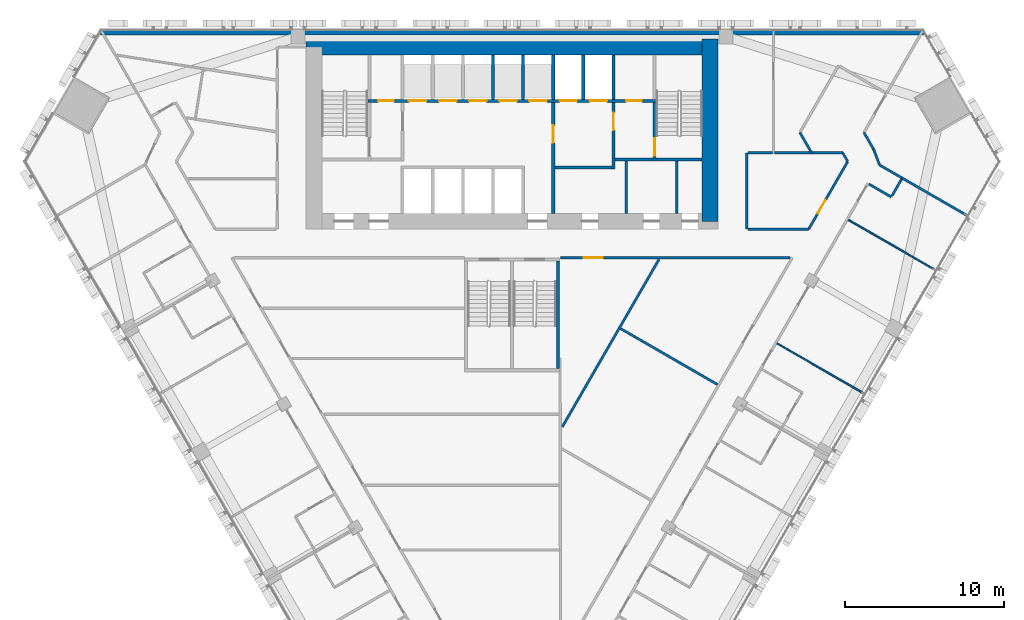
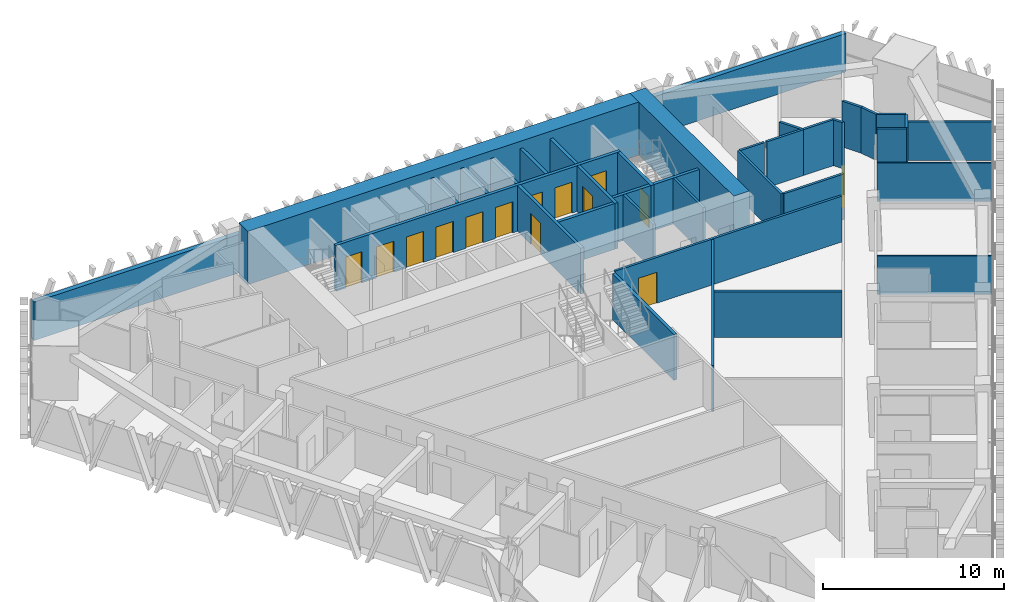
# One storey, part 14 of 18: 37 walls, 14 doors, 14 openings.
"""IFC4 building model written with IfcOpenShell, lengths in metres."""

from ifc_helpers import new_model, si_unit, direction, frame, frame_2d, origin, place, context, subcontext, project, spatial, rectangle, extrude, material, layer, layer_set, type_object, element, fill, save


model = new_model("IFC4")

# Units and contexts
model_context = context("Model", 3, precision=1e-05, world=origin(), true_north=direction((0.0, 1.0)))
body_context = subcontext(model_context, "Body", "Model", "MODEL_VIEW")
ifc_project = project(units=[si_unit("LENGTHUNIT", "METRE"), si_unit("AREAUNIT", "SQUARE_METRE"), si_unit("VOLUMEUNIT", "CUBIC_METRE"), si_unit("PLANEANGLEUNIT", "RADIAN"), si_unit("MASSUNIT", "GRAM", prefix="KILO")], contexts=[model_context])

# Site, building, storey
site_placement = place(None, origin())
site = spatial("IfcSite", under=ifc_project, at=site_placement, CompositionType="ELEMENT")
building_placement = place(site_placement, origin())
building = spatial("IfcBuilding", under=site, at=building_placement, Name="Altiplano Prism Tower", CompositionType="ELEMENT")
storey_placement = place(building_placement, frame((0.0, 0.0, 45.0)))
storey = spatial("IfcBuildingStorey", under=building, at=storey_placement, Name="L10", CompositionType="ELEMENT", Elevation=45.0)

# Walls
ifc_material_1 = material(Name="Concrete C70/85", Category="concrete")
ifc_layer_1 = layer(ifc_material_1, 1.0)
ifc_layer_set_1 = layer_set([ifc_layer_1], Name="Concrete C70/85")
wall_type_1 = type_object("IfcWallType", Name="Core wall 1000", PredefinedType="SHEAR", material=ifc_layer_set_1)
wall_1_placement = place(storey_placement, frame((97.5, 92.89990234375, 0.0), z_axis=(0.0, 0.0, 1.0), x_axis=(0.0, 1.0, 0.0)))
element("IfcWall", 1, at=wall_1_placement, inside=storey, type_object=wall_type_1, Name="Core wall E L10", PredefinedType="SHEAR", context=body_context, shape_type="SweptSolid", body=[
    extrude(rectangle(XDim=11.5, YDim=1.0, at=frame_2d((5.75, 0.0))), origin(), (0.0, 0.0, 1.0), 3.60009765625),
])
wall_2_placement = place(storey_placement, frame((97.5, 103.89990234375, 0.0), z_axis=(0.0, 0.0, 1.0), x_axis=(-1.0, 0.0, 0.0)))
element("IfcWall", 2, at=wall_2_placement, inside=storey, type_object=wall_type_1, Name="Core wall N L10", PredefinedType="SHEAR", context=body_context, shape_type="SweptSolid", body=[
    extrude(rectangle(XDim=25.5, YDim=1.0, at=frame_2d((12.75, 0.0))), origin(), (0.0, 0.0, 1.0), 3.60009765625),
])
ifc_material_2 = material(Name="Plasterboard on steel stud", Category="steel")
ifc_layer_2 = layer(ifc_material_2, 0.10009765625)
ifc_layer_set_2 = layer_set([ifc_layer_2], Name="Plasterboard on steel stud")
wall_type_2 = type_object("IfcWallType", Name="Partition 100 wet", PredefinedType="PARTITIONING", material=ifc_layer_set_2)
for number, where, z_axis, x_axis, name in (
    (3, (107.217529296875, 82.02685546875, 0.0), (0.0, 0.0, 1.0), (-0.866025401434, 0.500000004071, 0.0), "Partition P03 L10 098"),
    (4, (111.717529296875, 89.821044921875, 0.0), (0.0, 0.0, 1.0), (-0.866025401434, 0.500000004071, 0.0), "Partition P03 L10 099"),
):
    element("IfcWall", number, at=place(storey_placement, frame(where, z_axis=z_axis, x_axis=x_axis)), inside=storey, type_object=wall_type_2, Name=name, PredefinedType="PARTITIONING", context=body_context, shape_type="SweptSolid", body=[
        extrude(rectangle(XDim=6.34521484375, YDim=0.10009765625, at=frame_2d((3.172607421875, 0.0))), origin(), (0.0, 0.0, 1.0), 2.60009765625),
    ])
ifc_layer_3 = layer(ifc_material_2, 0.14990234375)
ifc_layer_set_3 = layer_set([ifc_layer_3], Name="Plasterboard on steel stud")
wall_type_3 = type_object("IfcWallType", Name="Partition 150 corridor", PredefinedType="PARTITIONING", material=ifc_layer_set_3)
wall_3_placement = place(storey_placement, frame((107.5224609375, 95.245361328125, 0.0), z_axis=(0.0, 0.0, 1.0), x_axis=(0.866015446554, -0.500017246033, 0.0)))
element("IfcWall", 5, at=wall_3_placement, inside=storey, type_object=wall_type_3, Name="Partition P06 L10 023", PredefinedType="PARTITIONING", context=body_context, shape_type="SweptSolid", body=[
    extrude(rectangle(XDim=1.625, YDim=0.14990234375, at=frame_2d((0.8125, 0.0))), origin(), (0.0, 0.0, 1.0), 3.10009765625),
])
wall_4_placement = place(storey_placement, frame((108.96728515625, 94.497802734375, 0.0), z_axis=(0.0, 0.0, 1.0), x_axis=(0.499963176624, 0.866046662726, 0.0)))
element("IfcWall", 6, at=wall_4_placement, inside=storey, type_object=wall_type_3, Name="Partition P06 L10 024", PredefinedType="PARTITIONING", context=body_context, shape_type="SweptSolid", body=[
    extrude(rectangle(XDim=1.22900390625, YDim=0.14990234375, at=frame_2d((0.614501953125, 0.0))), origin(), (0.0, 0.0, 1.0), 3.10009765625),
])
wall_5_placement = place(storey_placement, frame((109.601806640625, 95.63720703125, 0.0), z_axis=(0.0, 0.0, 1.0), x_axis=(-0.86604092097, 0.499973122483, 0.0)))
element("IfcWall", 7, at=wall_5_placement, inside=storey, type_object=wall_type_3, Name="Partition P06 L10 025", PredefinedType="PARTITIONING", context=body_context, shape_type="SweptSolid", body=[
    extrude(rectangle(XDim=1.6298828125, YDim=0.14990234375, at=frame_2d((0.81494140625, 0.0))), origin(), (0.0, 0.0, 1.0), 3.10009765625),
])
wall_6_placement = place(storey_placement, frame((108.190185546875, 96.4521484375, 0.0), z_axis=(0.0, 0.0, 1.0), x_axis=(-0.354044281385, 0.935228660178, 0.0)))
element("IfcWall", 8, at=wall_6_placement, inside=storey, type_object=wall_type_3, Name="Partition P06 L10 026", PredefinedType="PARTITIONING", context=body_context, shape_type="SweptSolid", body=[
    extrude(rectangle(XDim=1.06201171875, YDim=0.14990234375, at=frame_2d((0.531005859375, 0.0))), origin(), (0.0, 0.0, 1.0), 3.10009765625),
])
wall_7_placement = place(storey_placement, frame((107.814208984375, 97.4453125, 0.0), z_axis=(0.0, 0.0, 1.0), x_axis=(-0.499976971178, 0.866038699073, 0.0)))
element("IfcWall", 9, at=wall_7_placement, inside=storey, type_object=wall_type_3, Name="Partition P06 L10 027", PredefinedType="PARTITIONING", context=body_context, shape_type="SweptSolid", body=[
    extrude(rectangle(XDim=1.2177734375, YDim=0.14990234375, at=frame_2d((0.60888671875, 0.0))), origin(), (0.0, 0.0, 1.0), 3.10009765625),
])
wall_8_placement = place(storey_placement, frame((103.163818359375, 98.5, 0.0), z_axis=(0.0, 0.0, 1.0), x_axis=(0.499988131066, -0.866032256208, 0.0)))
element("IfcWall", 10, at=wall_8_placement, inside=storey, type_object=wall_type_3, Name="Partition P06 L10 032", PredefinedType="PARTITIONING", context=body_context, shape_type="SweptSolid", body=[
    extrude(rectangle(XDim=1.4052734375, YDim=0.14990234375, at=frame_2d((0.70263671875, 0.0))), origin(), (0.0, 0.0, 1.0), 3.10009765625),
])

# Wall, opening, door
wall_9_placement = place(storey_placement, frame((88.05126953125, 90.60009765625, 0.0), z_axis=(0.0, 0.0, 1.0), x_axis=(1.0, 0.0, 0.0)))
wall_9 = element("IfcWall", 11, at=wall_9_placement, inside=storey, type_object=wall_type_3, Name="Partition P06 L10 034", PredefinedType="PARTITIONING", context=body_context, shape_type="SweptSolid", body=[
    extrude(rectangle(XDim=14.494140625, YDim=0.14990234375, at=frame_2d((7.2470703125, 0.0))), origin(), (0.0, 0.0, 1.0), 3.10009765625),
])
opening_1_placement = place(wall_9_placement, frame((1.48291015625, 0.0, 0.0)))
opening_1 = element("IfcOpeningElement", 12, at=opening_1_placement, cuts=wall_9, Name="Opening D0418", PredefinedType="OPENING", context=body_context, shape_type="SweptSolid", body=[
    extrude(rectangle(XDim=1.199951171875, YDim=2.10009765625, at=frame_2d((0.60009765625, 1.050048828125))), frame((0.0, 0.08544921875, 0.0), z_axis=(0.0, -1.0, 0.0), x_axis=(1.0, 0.0, 0.0)), (0.0, 0.0, 1.0), 0.1708984375),
])
ifc_material_3 = material(Name="Timber", Category="wood")
door_type_1 = type_object("IfcDoorType", Name="Shared room door 1200 x 2100", OperationType="NOTDEFINED", PredefinedType="NOTDEFINED", material=ifc_material_3)
door_1_placement = place(opening_1_placement, origin())
door_1 = element("IfcDoor", 13, at=door_1_placement, inside=storey, type_object=door_type_1, Name="Door D0418", OperationType="SINGLE_SWING_LEFT", OverallHeight=2.10009765625, OverallWidth=1.199951171875, PredefinedType="NOTDEFINED", context=body_context, shape_type="SweptSolid", body=[
    extrude(rectangle(XDim=1.199951171875, YDim=2.10009765625, at=frame_2d((0.60009765625, 1.050048828125))), frame((0.0, 0.02490234375, 0.0), z_axis=(0.0, -1.0, 0.0), x_axis=(1.0, 0.0, 0.0)), (0.0, 0.0, 1.0), 0.050048828125),
])
fill(opening_1, door_1)

# Walls
wall_10_placement = place(storey_placement, frame((103.924560546875, 97.216796875, 0.0), z_axis=(0.0, 0.0, 1.0), x_axis=(1.0, 0.0, 0.0)))
element("IfcWall", 14, at=wall_10_placement, inside=storey, type_object=wall_type_3, Name="Partition P06 L10 038", PredefinedType="PARTITIONING", context=body_context, shape_type="SweptSolid", body=[
    extrude(rectangle(XDim=1.943115234375, YDim=0.14990234375, at=frame_2d((0.9716796875, 0.0))), origin(), (0.0, 0.0, 1.0), 3.10009765625),
])
wall_11_placement = place(storey_placement, frame((105.86767578125, 97.216796875, 0.0), z_axis=(0.0, 0.0, 1.0), x_axis=(0.500070269848, -0.865984829667, 0.0)))
element("IfcWall", 15, at=wall_11_placement, inside=storey, type_object=wall_type_3, Name="Partition P06 L10 039", PredefinedType="PARTITIONING", context=body_context, shape_type="SweptSolid", body=[
    extrude(rectangle(XDim=0.6279296875, YDim=0.14990234375, at=frame_2d((0.31396484375, 0.0))), origin(), (0.0, 0.0, 1.0), 3.10009765625),
])

# Wall, opening, door
wall_12_placement = place(storey_placement, frame((106.181640625, 96.673095703125, 0.0), z_axis=(0.0, 0.0, 1.0), x_axis=(-0.499986575203, -0.866033154456, 0.0)))
wall_12 = element("IfcWall", 16, at=wall_12_placement, inside=storey, type_object=wall_type_3, Name="Partition P06 L10 040", PredefinedType="PARTITIONING", context=body_context, shape_type="SweptSolid", body=[
    extrude(rectangle(XDim=4.934326171875, YDim=0.14990234375, at=frame_2d((2.46728515625, 0.0))), origin(), (0.0, 0.0, 1.0), 3.10009765625),
])
opening_2_placement = place(wall_12_placement, frame((2.791015625, 0.0, 0.0)))
opening_2 = element("IfcOpeningElement", 17, at=opening_2_placement, cuts=wall_12, Name="Opening D0421", PredefinedType="OPENING", context=body_context, shape_type="SweptSolid", body=[
    extrude(rectangle(XDim=1.0, YDim=2.10009765625, at=frame_2d((0.5, 1.050048828125))), frame((0.0, 0.08544921875, 0.0), z_axis=(0.0, -1.0, 0.0), x_axis=(1.0, 0.0, 0.0)), (0.0, 0.0, 1.0), 0.1708984375),
])
door_type_2 = type_object("IfcDoorType", Name="Room door 1000 x 2100", OperationType="NOTDEFINED", PredefinedType="NOTDEFINED", material=ifc_material_3)
door_2_placement = place(opening_2_placement, origin())
door_2 = element("IfcDoor", 18, at=door_2_placement, inside=storey, type_object=door_type_2, Name="Door D0421", OperationType="SINGLE_SWING_LEFT", OverallHeight=2.10009765625, OverallWidth=1.0, PredefinedType="NOTDEFINED", context=body_context, shape_type="SweptSolid", body=[
    extrude(rectangle(XDim=1.0, YDim=2.10009765625, at=frame_2d((0.5, 1.050048828125))), frame((0.0, 0.02490234375, 0.0), z_axis=(0.0, -1.0, 0.0), x_axis=(1.0, 0.0, 0.0)), (0.0, 0.0, 1.0), 0.050048828125),
])
fill(opening_2, door_2)

# Walls
wall_13_placement = place(storey_placement, frame((103.714599609375, 92.39990234375, 0.0), z_axis=(0.0, 0.0, 1.0), x_axis=(-1.0, 0.0, 0.0)))
element("IfcWall", 19, at=wall_13_placement, inside=storey, type_object=wall_type_3, Name="Partition P06 L10 041", PredefinedType="PARTITIONING", context=body_context, shape_type="SweptSolid", body=[
    extrude(rectangle(XDim=3.839599609375, YDim=0.14990234375, at=frame_2d((1.919921875, 0.0))), origin(), (0.0, 0.0, 1.0), 3.10009765625),
])
wall_14_placement = place(storey_placement, frame((99.800048828125, 92.39990234375, 0.0), z_axis=(0.0, 0.0, 1.0), x_axis=(0.0, 1.0, 0.0)))
element("IfcWall", 20, at=wall_14_placement, inside=storey, type_object=wall_type_3, Name="Partition P06 L10 042", PredefinedType="PARTITIONING", context=body_context, shape_type="SweptSolid", body=[
    extrude(rectangle(XDim=4.81689453125, YDim=0.14990234375, at=frame_2d((2.408447265625, 0.0))), origin(), (0.0, 0.0, 1.0), 3.10009765625),
])
wall_15_placement = place(storey_placement, frame((99.875, 97.216796875, 0.0), z_axis=(0.0, 0.0, 1.0), x_axis=(1.0, 0.0, 0.0)))
element("IfcWall", 21, at=wall_15_placement, inside=storey, type_object=wall_type_3, Name="Partition P06 L10 043", PredefinedType="PARTITIONING", context=body_context, shape_type="SweptSolid", body=[
    extrude(rectangle(XDim=1.550048828125, YDim=0.14990234375, at=frame_2d((0.77490234375, 0.0))), origin(), (0.0, 0.0, 1.0), 3.10009765625),
])
ifc_layer_4 = layer(ifc_material_2, 0.14990234375)
ifc_layer_set_4 = layer_set([ifc_layer_4], Name="Plasterboard on steel stud")
wall_type_4 = type_object("IfcWallType", Name="Partition 150 party", PredefinedType="PARTITIONING", material=ifc_layer_set_4)
wall_16_placement = place(storey_placement, frame((113.70703125, 93.26708984375, 0.0), z_axis=(0.0, 0.0, 1.0), x_axis=(-0.866028632512, 0.499994407638, 0.0)))
element("IfcWall", 22, at=wall_16_placement, inside=storey, type_object=wall_type_4, Name="Partition P01 L10 100", PredefinedType="PARTITIONING", context=body_context, shape_type="SweptSolid", body=[
    extrude(rectangle(XDim=4.740234375, YDim=0.14990234375, at=frame_2d((2.3701171875, 0.0))), origin(), (0.0, 0.0, 1.0), 2.60009765625),
])
wall_17_placement = place(storey_placement, frame((101.574951171875, 97.216796875, 0.0), z_axis=(0.0, 0.0, 1.0), x_axis=(1.0, 0.0, 0.0)))
element("IfcWall", 23, at=wall_17_placement, inside=storey, type_object=wall_type_4, Name="Partition P01 L10 103", PredefinedType="PARTITIONING", context=body_context, shape_type="SweptSolid", body=[
    extrude(rectangle(XDim=2.349609375, YDim=0.14990234375, at=frame_2d((1.1748046875, 0.0))), origin(), (0.0, 0.0, 1.0), 3.10009765625),
])
wall_18_placement = place(storey_placement, frame((97.96923828125, 82.5986328125, 0.0), z_axis=(0.0, 0.0, 1.0), x_axis=(-0.866025817056, 0.499999284192, 0.0)))
element("IfcWall", 24, at=wall_18_placement, inside=storey, type_object=wall_type_4, Name="Partition P01 L10 106", PredefinedType="PARTITIONING", context=body_context, shape_type="SweptSolid", body=[
    extrude(rectangle(XDim=7.07421875, YDim=0.14990234375, at=frame_2d((3.537109375, 0.0))), origin(), (0.0, 0.0, 1.0), 3.10009765625),
])
wall_19_placement = place(storey_placement, frame((94.268798828125, 90.487548828125, 0.0), z_axis=(0.0, 0.0, 1.0), x_axis=(-0.50000052013, -0.866025103487, 0.0)))
element("IfcWall", 25, at=wall_19_placement, inside=storey, type_object=wall_type_4, Name="Partition P01 L10 108", PredefinedType="PARTITIONING", context=body_context, shape_type="SweptSolid", body=[
    extrude(rectangle(XDim=12.185546875, YDim=0.14990234375, at=frame_2d((6.0927734375, 0.0))), origin(), (0.0, 0.0, 1.0), 3.10009765625),
])
ifc_material_4 = material(Name="Fire-rated gypsum board partition")
ifc_layer_5 = layer(ifc_material_4, 0.14990234375)
ifc_layer_set_5 = layer_set([ifc_layer_5], Name="Fire-rated gypsum board partition")
wall_type_5 = type_object("IfcWallType", Name="Room partition 150", PredefinedType="PARTITIONING", material=ifc_layer_set_5)
for number, where, z_axis, x_axis, name in (
    (26, (92.199951171875, 93.39990234375, 0.0), (0.0, 0.0, 1.0), (0.0, 1.0, 0.0), "Room partition L10"),
    (27, (95.39990234375, 93.39990234375, 0.0), (0.0, 0.0, 1.0), (0.0, 1.0, 0.0), "Room partition L10"),
):
    element("IfcWall", number, at=place(storey_placement, frame(where, z_axis=z_axis, x_axis=x_axis)), inside=storey, type_object=wall_type_5, Name=name, PredefinedType="PARTITIONING", context=body_context, shape_type="SweptSolid", body=[
        extrude(rectangle(XDim=3.300048828125, YDim=0.14990234375, at=frame_2d((1.64990234375, 0.0))), origin(), (0.0, 0.0, 1.0), 3.10009765625),
    ])
ifc_material_5 = material(Name="Concrete C60/75", Category="concrete")
ifc_layer_6 = layer(ifc_material_5, 0.199951171875)
ifc_layer_set_6 = layer_set([ifc_layer_6], Name="Concrete C60/75")
wall_type_6 = type_object("IfcWallType", Name="Shaft wall 200", PredefinedType="SOLIDWALL", material=ifc_layer_set_6)
for number, where, z_axis, x_axis, name in (
    (28, (83.800048828125, 100.60009765625, 0.0), (0.0, 0.0, 1.0), (0.0, 1.0, 0.0), "Shaft wall L10"),
    (29, (85.699951171875, 100.60009765625, 0.0), (0.0, 0.0, 1.0), (0.0, 1.0, 0.0), "Shaft wall L10"),
    (30, (87.60009765625, 100.60009765625, 0.0), (0.0, 0.0, 1.0), (0.0, 1.0, 0.0), "Shaft wall L10"),
    (31, (89.5, 100.60009765625, 0.0), (0.0, 0.0, 1.0), (0.0, 1.0, 0.0), "Shaft wall L10"),
    (32, (91.39990234375, 100.60009765625, 0.0), (0.0, 0.0, 1.0), (0.0, 1.0, 0.0), "Shaft wall L10"),
):
    element("IfcWall", number, at=place(storey_placement, frame(where, z_axis=z_axis, x_axis=x_axis)), inside=storey, type_object=wall_type_6, Name=name, PredefinedType="SOLIDWALL", context=body_context, shape_type="SweptSolid", body=[
        extrude(rectangle(XDim=2.7998046875, YDim=0.199951171875, at=frame_2d((1.39990234375, 0.0))), origin(), (0.0, 0.0, 1.0), 3.10009765625),
    ])

# Wall, opening, door
ifc_layer_7 = layer(ifc_material_5, 0.199951171875)
ifc_layer_set_7 = layer_set([ifc_layer_7], Name="Concrete C60/75")
wall_type_7 = type_object("IfcWallType", Name="Stair wall 200", PredefinedType="SOLIDWALL", material=ifc_layer_set_7)
wall_20_placement = place(storey_placement, frame((94.0, 96.699951171875, 0.0), z_axis=(0.0, 0.0, 1.0), x_axis=(0.0, 1.0, 0.0)))
wall_20 = element("IfcWall", 33, at=wall_20_placement, inside=storey, type_object=wall_type_7, Name="Stair wall L10", PredefinedType="SOLIDWALL", context=body_context, shape_type="SweptSolid", body=[
    extrude(rectangle(XDim=3.699951171875, YDim=0.199951171875, at=frame_2d((1.85009765625, 0.0))), origin(), (0.0, 0.0, 1.0), 3.10009765625),
])
opening_3_placement = place(wall_20_placement, frame((0.35009765625, 0.0, 0.0)))
opening_3 = element("IfcOpeningElement", 34, at=opening_3_placement, cuts=wall_20, Name="Opening D2721", PredefinedType="OPENING", context=body_context, shape_type="SweptSolid", body=[
    extrude(rectangle(XDim=1.10009765625, YDim=2.10009765625, at=frame_2d((0.550048828125, 1.050048828125))), frame((0.0, 0.1103515625, 0.0), z_axis=(0.0, -1.0, 0.0), x_axis=(1.0, 0.0, 0.0)), (0.0, 0.0, 1.0), 0.220947265625),
])
ifc_material_6 = material(Name="Fire-rated steel door", Category="steel")
door_type_3 = type_object("IfcDoorType", Name="Stair fire door 1100 x 2100", OperationType="NOTDEFINED", PredefinedType="NOTDEFINED", material=ifc_material_6)
door_3_placement = place(opening_3_placement, origin())
door_3 = element("IfcDoor", 35, at=door_3_placement, inside=storey, type_object=door_type_3, Name="Stair fire door D2721", OperationType="SINGLE_SWING_LEFT", OverallHeight=2.10009765625, OverallWidth=1.10009765625, PredefinedType="NOTDEFINED", context=body_context, shape_type="SweptSolid", body=[
    extrude(rectangle(XDim=1.10009765625, YDim=2.10009765625, at=frame_2d((0.550048828125, 1.050048828125))), frame((0.0, 0.02490234375, 0.0), z_axis=(0.0, -1.0, 0.0), x_axis=(1.0, 0.0, 0.0)), (0.0, 0.0, 1.0), 0.050048828125),
])
fill(opening_3, door_3)

# Wall
wall_21_placement = place(storey_placement, frame((94.10009765625, 96.800048828125, 0.0), z_axis=(0.0, 0.0, 1.0), x_axis=(1.0, 0.0, 0.0)))
element("IfcWall", 36, at=wall_21_placement, inside=storey, type_object=wall_type_7, Name="Stair wall L10", PredefinedType="SOLIDWALL", context=body_context, shape_type="SweptSolid", body=[
    extrude(rectangle(XDim=2.89990234375, YDim=0.199951171875, at=frame_2d((1.449951171875, 0.0))), origin(), (0.0, 0.0, 1.0), 3.10009765625),
])

# Wall, openings, doors
wall_22_placement = place(storey_placement, frame((75.89990234375, 100.5, 0.0), z_axis=(0.0, 0.0, 1.0), x_axis=(1.0, 0.0, 0.0)))
wall_22 = element("IfcWall", 37, at=wall_22_placement, inside=storey, type_object=wall_type_7, Name="Stair wall L10", PredefinedType="SOLIDWALL", context=body_context, shape_type="SweptSolid", body=[
    extrude(rectangle(XDim=18.2001953125, YDim=0.199951171875, at=frame_2d((9.10009765625, 0.0))), origin(), (0.0, 0.0, 1.0), 3.10009765625),
])
opening_4_placement = place(wall_22_placement, frame((2.60009765625, 0.0, 0.0)))
opening_4 = element("IfcOpeningElement", 38, at=opening_4_placement, cuts=wall_22, Name="Opening LD-LL1-L10", PredefinedType="OPENING", context=body_context, shape_type="SweptSolid", body=[
    extrude(rectangle(XDim=1.10009765625, YDim=2.10009765625, at=frame_2d((0.550048828125, 1.050048828125))), frame((0.0, 0.1103515625, 0.0), z_axis=(0.0, -1.0, 0.0), x_axis=(1.0, 0.0, 0.0)), (0.0, 0.0, 1.0), 0.220947265625),
])
opening_5_placement = place(wall_22_placement, frame((4.5, 0.0, 0.0)))
opening_5 = element("IfcOpeningElement", 39, at=opening_5_placement, cuts=wall_22, Name="Opening LD-LL2-L10", PredefinedType="OPENING", context=body_context, shape_type="SweptSolid", body=[
    extrude(rectangle(XDim=1.10009765625, YDim=2.10009765625, at=frame_2d((0.550048828125, 1.050048828125))), frame((0.0, 0.1103515625, 0.0), z_axis=(0.0, -1.0, 0.0), x_axis=(1.0, 0.0, 0.0)), (0.0, 0.0, 1.0), 0.220947265625),
])
opening_6_placement = place(wall_22_placement, frame((6.39990234375, 0.0, 0.0)))
opening_6 = element("IfcOpeningElement", 40, at=opening_6_placement, cuts=wall_22, Name="Opening LD-LL3-L10", PredefinedType="OPENING", context=body_context, shape_type="SweptSolid", body=[
    extrude(rectangle(XDim=1.10009765625, YDim=2.10009765625, at=frame_2d((0.550048828125, 1.050048828125))), frame((0.0, 0.1103515625, 0.0), z_axis=(0.0, -1.0, 0.0), x_axis=(1.0, 0.0, 0.0)), (0.0, 0.0, 1.0), 0.220947265625),
])
opening_7_placement = place(wall_22_placement, frame((8.300048828125, 0.0, 0.0)))
opening_7 = element("IfcOpeningElement", 41, at=opening_7_placement, cuts=wall_22, Name="Opening LD-LL4-L10", PredefinedType="OPENING", context=body_context, shape_type="SweptSolid", body=[
    extrude(rectangle(XDim=1.10009765625, YDim=2.10009765625, at=frame_2d((0.550048828125, 1.050048828125))), frame((0.0, 0.1103515625, 0.0), z_axis=(0.0, -1.0, 0.0), x_axis=(1.0, 0.0, 0.0)), (0.0, 0.0, 1.0), 0.220947265625),
])
opening_8_placement = place(wall_22_placement, frame((10.199951171875, 0.0, 0.0)))
opening_8 = element("IfcOpeningElement", 42, at=opening_8_placement, cuts=wall_22, Name="Opening LD-LL5-L10", PredefinedType="OPENING", context=body_context, shape_type="SweptSolid", body=[
    extrude(rectangle(XDim=1.10009765625, YDim=2.10009765625, at=frame_2d((0.550048828125, 1.050048828125))), frame((0.0, 0.1103515625, 0.0), z_axis=(0.0, -1.0, 0.0), x_axis=(1.0, 0.0, 0.0)), (0.0, 0.0, 1.0), 0.220947265625),
])
opening_9_placement = place(wall_22_placement, frame((12.10009765625, 0.0, 0.0)))
opening_9 = element("IfcOpeningElement", 43, at=opening_9_placement, cuts=wall_22, Name="Opening LD-FF1-L10", PredefinedType="OPENING", context=body_context, shape_type="SweptSolid", body=[
    extrude(rectangle(XDim=1.10009765625, YDim=2.10009765625, at=frame_2d((0.550048828125, 1.050048828125))), frame((0.0, 0.1103515625, 0.0), z_axis=(0.0, -1.0, 0.0), x_axis=(1.0, 0.0, 0.0)), (0.0, 0.0, 1.0), 0.220947265625),
])
opening_10_placement = place(wall_22_placement, frame((14.0, 0.0, 0.0)))
opening_10 = element("IfcOpeningElement", 44, at=opening_10_placement, cuts=wall_22, Name="Opening LD-FF2-L10", PredefinedType="OPENING", context=body_context, shape_type="SweptSolid", body=[
    extrude(rectangle(XDim=1.10009765625, YDim=2.10009765625, at=frame_2d((0.550048828125, 1.050048828125))), frame((0.0, 0.1103515625, 0.0), z_axis=(0.0, -1.0, 0.0), x_axis=(1.0, 0.0, 0.0)), (0.0, 0.0, 1.0), 0.220947265625),
])
opening_11_placement = place(wall_22_placement, frame((0.64990234375, 0.0, 0.0)))
opening_11 = element("IfcOpeningElement", 45, at=opening_11_placement, cuts=wall_22, Name="Opening D2728", PredefinedType="OPENING", context=body_context, shape_type="SweptSolid", body=[
    extrude(rectangle(XDim=1.0, YDim=2.10009765625, at=frame_2d((0.5, 1.050048828125))), frame((0.0, 0.1103515625, 0.0), z_axis=(0.0, -1.0, 0.0), x_axis=(1.0, 0.0, 0.0)), (0.0, 0.0, 1.0), 0.220947265625),
])
opening_12_placement = place(wall_22_placement, frame((16.300048828125, 0.0, 0.0)))
opening_12 = element("IfcOpeningElement", 46, at=opening_12_placement, cuts=wall_22, Name="Opening D2729", PredefinedType="OPENING", context=body_context, shape_type="SweptSolid", body=[
    extrude(rectangle(XDim=1.0, YDim=2.10009765625, at=frame_2d((0.5, 1.050048828125))), frame((0.0, 0.1103515625, 0.0), z_axis=(0.0, -1.0, 0.0), x_axis=(1.0, 0.0, 0.0)), (0.0, 0.0, 1.0), 0.220947265625),
])
door_type_4 = type_object("IfcDoorType", Name="Core room door 1000 x 2100", OperationType="NOTDEFINED", PredefinedType="NOTDEFINED", material=ifc_material_6)
door_4_placement = place(opening_11_placement, origin())
door_4 = element("IfcDoor", 47, at=door_4_placement, inside=storey, type_object=door_type_4, Name="Core room door D2728", OperationType="SINGLE_SWING_LEFT", OverallHeight=2.10009765625, OverallWidth=1.0, PredefinedType="NOTDEFINED", context=body_context, shape_type="SweptSolid", body=[
    extrude(rectangle(XDim=1.0, YDim=2.10009765625, at=frame_2d((0.5, 1.050048828125))), frame((0.0, 0.02490234375, 0.0), z_axis=(0.0, -1.0, 0.0), x_axis=(1.0, 0.0, 0.0)), (0.0, 0.0, 1.0), 0.050048828125),
])
fill(opening_11, door_4)
door_5_placement = place(opening_12_placement, origin())
door_5 = element("IfcDoor", 48, at=door_5_placement, inside=storey, type_object=door_type_4, Name="Core room door D2729", OperationType="SINGLE_SWING_RIGHT", OverallHeight=2.10009765625, OverallWidth=1.0, PredefinedType="NOTDEFINED", context=body_context, shape_type="SweptSolid", body=[
    extrude(rectangle(XDim=1.0, YDim=2.10009765625, at=frame_2d((0.5, 1.050048828125))), frame((0.0, 0.02490234375, 0.0), z_axis=(0.0, -1.0, 0.0), x_axis=(1.0, 0.0, 0.0)), (0.0, 0.0, 1.0), 0.050048828125),
])
fill(opening_12, door_5)
ifc_material_7 = material(Name="Stainless steel landing door", Category="steel")
door_type_5 = type_object("IfcDoorType", Name="Landing door 1100 x 2100", OperationType="NOTDEFINED", PredefinedType="NOTDEFINED", material=ifc_material_7)
door_6_placement = place(opening_4_placement, origin())
door_6 = element("IfcDoor", 49, at=door_6_placement, inside=storey, type_object=door_type_5, Name="Landing doors LL1", OperationType="SLIDING_TO_RIGHT", OverallHeight=2.10009765625, OverallWidth=1.10009765625, PredefinedType="NOTDEFINED", context=body_context, shape_type="SweptSolid", body=[
    extrude(rectangle(XDim=1.10009765625, YDim=2.10009765625, at=frame_2d((0.550048828125, 1.050048828125))), frame((0.0, 0.02490234375, 0.0), z_axis=(0.0, -1.0, 0.0), x_axis=(1.0, 0.0, 0.0)), (0.0, 0.0, 1.0), 0.050048828125),
])
fill(opening_4, door_6)
door_7_placement = place(opening_5_placement, origin())
door_7 = element("IfcDoor", 50, at=door_7_placement, inside=storey, type_object=door_type_5, Name="Landing doors LL2", OperationType="SLIDING_TO_LEFT", OverallHeight=2.10009765625, OverallWidth=1.10009765625, PredefinedType="NOTDEFINED", context=body_context, shape_type="SweptSolid", body=[
    extrude(rectangle(XDim=1.10009765625, YDim=2.10009765625, at=frame_2d((0.550048828125, 1.050048828125))), frame((0.0, 0.02490234375, 0.0), z_axis=(0.0, -1.0, 0.0), x_axis=(1.0, 0.0, 0.0)), (0.0, 0.0, 1.0), 0.050048828125),
])
fill(opening_5, door_7)
door_8_placement = place(opening_6_placement, origin())
door_8 = element("IfcDoor", 51, at=door_8_placement, inside=storey, type_object=door_type_5, Name="Landing doors LL3", OperationType="SLIDING_TO_RIGHT", OverallHeight=2.10009765625, OverallWidth=1.10009765625, PredefinedType="NOTDEFINED", context=body_context, shape_type="SweptSolid", body=[
    extrude(rectangle(XDim=1.10009765625, YDim=2.10009765625, at=frame_2d((0.550048828125, 1.050048828125))), frame((0.0, 0.02490234375, 0.0), z_axis=(0.0, -1.0, 0.0), x_axis=(1.0, 0.0, 0.0)), (0.0, 0.0, 1.0), 0.050048828125),
])
fill(opening_6, door_8)
door_9_placement = place(opening_7_placement, origin())
door_9 = element("IfcDoor", 52, at=door_9_placement, inside=storey, type_object=door_type_5, Name="Landing doors LL4", OperationType="SLIDING_TO_LEFT", OverallHeight=2.10009765625, OverallWidth=1.10009765625, PredefinedType="NOTDEFINED", context=body_context, shape_type="SweptSolid", body=[
    extrude(rectangle(XDim=1.10009765625, YDim=2.10009765625, at=frame_2d((0.550048828125, 1.050048828125))), frame((0.0, 0.02490234375, 0.0), z_axis=(0.0, -1.0, 0.0), x_axis=(1.0, 0.0, 0.0)), (0.0, 0.0, 1.0), 0.050048828125),
])
fill(opening_7, door_9)
door_10_placement = place(opening_8_placement, origin())
door_10 = element("IfcDoor", 53, at=door_10_placement, inside=storey, type_object=door_type_5, Name="Landing doors LL5", OperationType="SLIDING_TO_RIGHT", OverallHeight=2.10009765625, OverallWidth=1.10009765625, PredefinedType="NOTDEFINED", context=body_context, shape_type="SweptSolid", body=[
    extrude(rectangle(XDim=1.10009765625, YDim=2.10009765625, at=frame_2d((0.550048828125, 1.050048828125))), frame((0.0, 0.02490234375, 0.0), z_axis=(0.0, -1.0, 0.0), x_axis=(1.0, 0.0, 0.0)), (0.0, 0.0, 1.0), 0.050048828125),
])
fill(opening_8, door_10)
door_11_placement = place(opening_9_placement, origin())
door_11 = element("IfcDoor", 54, at=door_11_placement, inside=storey, type_object=door_type_5, Name="Landing doors FF1", OperationType="SLIDING_TO_RIGHT", OverallHeight=2.10009765625, OverallWidth=1.10009765625, PredefinedType="NOTDEFINED", context=body_context, shape_type="SweptSolid", body=[
    extrude(rectangle(XDim=1.10009765625, YDim=2.10009765625, at=frame_2d((0.550048828125, 1.050048828125))), frame((0.0, 0.02490234375, 0.0), z_axis=(0.0, -1.0, 0.0), x_axis=(1.0, 0.0, 0.0)), (0.0, 0.0, 1.0), 0.050048828125),
])
fill(opening_9, door_11)
door_12_placement = place(opening_10_placement, origin())
door_12 = element("IfcDoor", 55, at=door_12_placement, inside=storey, type_object=door_type_5, Name="Landing doors FF2", OperationType="SLIDING_TO_LEFT", OverallHeight=2.10009765625, OverallWidth=1.10009765625, PredefinedType="NOTDEFINED", context=body_context, shape_type="SweptSolid", body=[
    extrude(rectangle(XDim=1.10009765625, YDim=2.10009765625, at=frame_2d((0.550048828125, 1.050048828125))), frame((0.0, 0.02490234375, 0.0), z_axis=(0.0, -1.0, 0.0), x_axis=(1.0, 0.0, 0.0)), (0.0, 0.0, 1.0), 0.050048828125),
])
fill(opening_10, door_12)

# Walls
wall_23_placement = place(storey_placement, frame((87.89990234375, 83.60009765625, 0.0), z_axis=(0.0, 0.0, 1.0), x_axis=(0.0, 1.0, 0.0)))
element("IfcWall", 56, at=wall_23_placement, inside=storey, type_object=wall_type_7, Name="Stair 3 wall east L10", PredefinedType="SOLIDWALL", context=body_context, shape_type="SweptSolid", body=[
    extrude(rectangle(XDim=6.7998046875, YDim=0.199951171875, at=frame_2d((3.39990234375, 0.0))), origin(), (0.0, 0.0, 1.0), 3.10009765625),
])
ifc_material_8 = material(Name="Concrete C40", Category="concrete")
ifc_layer_8 = layer(ifc_material_8, 0.300048828125)
ifc_layer_set_8 = layer_set([ifc_layer_8], Name="Concrete C40")
wall_type_8 = type_object("IfcWallType", Name="Stone-clad external wall 300", PredefinedType="SOLIDWALL", material=ifc_layer_set_8)
wall_24_placement = place(storey_placement, frame((59.0419921875, 104.7900390625, 0.0), z_axis=(0.0, 0.0, 1.0), x_axis=(1.0, 0.0, 0.0)))
element("IfcWall", 57, at=wall_24_placement, inside=storey, type_object=wall_type_8, Name="External wall north face L10", PredefinedType="SOLIDWALL", context=body_context, shape_type="SweptSolid", body=[
    extrude(rectangle(XDim=51.916015625, YDim=0.300048828125, at=frame_2d((25.9580078125, 0.0))), origin(), (0.0, 0.0, 1.0), 2.60009765625),
])

# Wall, opening, door
ifc_layer_9 = layer(ifc_material_5, 0.199951171875)
ifc_layer_set_9 = layer_set([ifc_layer_9], Name="Concrete C60/75")
wall_type_9 = type_object("IfcWallType", Name="Vestibule wall 200", PredefinedType="PARTITIONING", material=ifc_layer_set_9)
wall_25_placement = place(storey_placement, frame((87.60009765625, 93.39990234375, 0.0), z_axis=(0.0, 0.0, 1.0), x_axis=(0.0, 1.0, 0.0)))
wall_25 = element("IfcWall", 58, at=wall_25_placement, inside=storey, type_object=wall_type_9, Name="Vestibule wall L10", PredefinedType="PARTITIONING", context=body_context, shape_type="SweptSolid", body=[
    extrude(rectangle(XDim=7.0, YDim=0.199951171875, at=frame_2d((3.5, 0.0))), origin(), (0.0, 0.0, 1.0), 3.10009765625),
])
opening_13_placement = place(wall_25_placement, frame((4.449951171875, 0.0, 0.0)))
opening_13 = element("IfcOpeningElement", 59, at=opening_13_placement, cuts=wall_25, Name="Opening D2723", PredefinedType="OPENING", context=body_context, shape_type="SweptSolid", body=[
    extrude(rectangle(XDim=1.10009765625, YDim=2.10009765625, at=frame_2d((0.550048828125, 1.050048828125))), frame((0.0, 0.1103515625, 0.0), z_axis=(0.0, -1.0, 0.0), x_axis=(1.0, 0.0, 0.0)), (0.0, 0.0, 1.0), 0.220947265625),
])
door_type_6 = type_object("IfcDoorType", Name="Vestibule fire door 1100 x 2100", OperationType="NOTDEFINED", PredefinedType="NOTDEFINED", material=ifc_material_6)
door_13_placement = place(opening_13_placement, origin())
door_13 = element("IfcDoor", 60, at=door_13_placement, inside=storey, type_object=door_type_6, Name="Vestibule fire door D2723", OperationType="SINGLE_SWING_RIGHT", OverallHeight=2.10009765625, OverallWidth=1.10009765625, PredefinedType="NOTDEFINED", context=body_context, shape_type="SweptSolid", body=[
    extrude(rectangle(XDim=1.10009765625, YDim=2.10009765625, at=frame_2d((0.550048828125, 1.050048828125))), frame((0.0, 0.02490234375, 0.0), z_axis=(0.0, -1.0, 0.0), x_axis=(1.0, 0.0, 0.0)), (0.0, 0.0, 1.0), 0.050048828125),
])
fill(opening_13, door_13)

# Wall
wall_26_placement = place(storey_placement, frame((87.699951171875, 96.300048828125, 0.0), z_axis=(0.0, 0.0, 1.0), x_axis=(1.0, 0.0, 0.0)))
element("IfcWall", 61, at=wall_26_placement, inside=storey, type_object=wall_type_9, Name="Vestibule wall L10", PredefinedType="PARTITIONING", context=body_context, shape_type="SweptSolid", body=[
    extrude(rectangle(XDim=3.60009765625, YDim=0.199951171875, at=frame_2d((1.800048828125, 0.0))), origin(), (0.0, 0.0, 1.0), 3.10009765625),
])

# Wall, opening, door
wall_27_placement = place(storey_placement, frame((91.39990234375, 96.199951171875, 0.0), z_axis=(0.0, 0.0, 1.0), x_axis=(0.0, 1.0, 0.0)))
wall_27 = element("IfcWall", 62, at=wall_27_placement, inside=storey, type_object=wall_type_9, Name="Vestibule wall L10", PredefinedType="PARTITIONING", context=body_context, shape_type="SweptSolid", body=[
    extrude(rectangle(XDim=4.199951171875, YDim=0.199951171875, at=frame_2d((2.10009765625, 0.0))), origin(), (0.0, 0.0, 1.0), 3.10009765625),
])
opening_14_placement = place(wall_27_placement, frame((2.449951171875, 0.0, 0.0)))
opening_14 = element("IfcOpeningElement", 63, at=opening_14_placement, cuts=wall_27, Name="Opening D2724", PredefinedType="OPENING", context=body_context, shape_type="SweptSolid", body=[
    extrude(rectangle(XDim=1.10009765625, YDim=2.10009765625, at=frame_2d((0.550048828125, 1.050048828125))), frame((0.0, 0.1103515625, 0.0), z_axis=(0.0, -1.0, 0.0), x_axis=(1.0, 0.0, 0.0)), (0.0, 0.0, 1.0), 0.220947265625),
])
door_14_placement = place(opening_14_placement, origin())
door_14 = element("IfcDoor", 64, at=door_14_placement, inside=storey, type_object=door_type_6, Name="Vestibule fire door D2724", OperationType="SINGLE_SWING_LEFT", OverallHeight=2.10009765625, OverallWidth=1.10009765625, PredefinedType="NOTDEFINED", context=body_context, shape_type="SweptSolid", body=[
    extrude(rectangle(XDim=1.10009765625, YDim=2.10009765625, at=frame_2d((0.550048828125, 1.050048828125))), frame((0.0, 0.02490234375, 0.0), z_axis=(0.0, -1.0, 0.0), x_axis=(1.0, 0.0, 0.0)), (0.0, 0.0, 1.0), 0.050048828125),
])
fill(opening_14, door_14)

# Wall
wall_28_placement = place(storey_placement, frame((91.5, 96.800048828125, 0.0), z_axis=(0.0, 0.0, 1.0), x_axis=(1.0, 0.0, 0.0)))
element("IfcWall", 65, at=wall_28_placement, inside=storey, type_object=wall_type_9, Name="Vestibule wall L10", PredefinedType="PARTITIONING", context=body_context, shape_type="SweptSolid", body=[
    extrude(rectangle(XDim=2.39990234375, YDim=0.199951171875, at=frame_2d((1.199951171875, 0.0))), origin(), (0.0, 0.0, 1.0), 3.10009765625),
])

save(model, "model.ifc")
